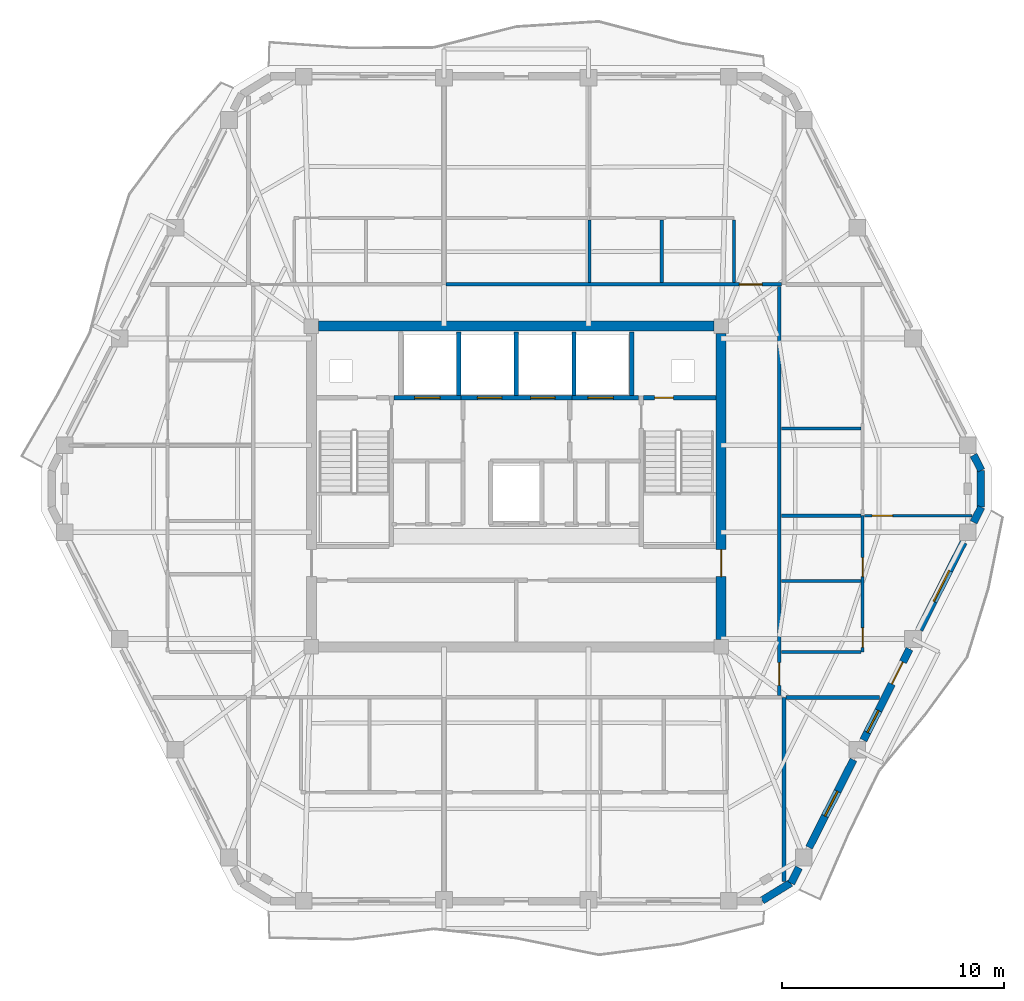
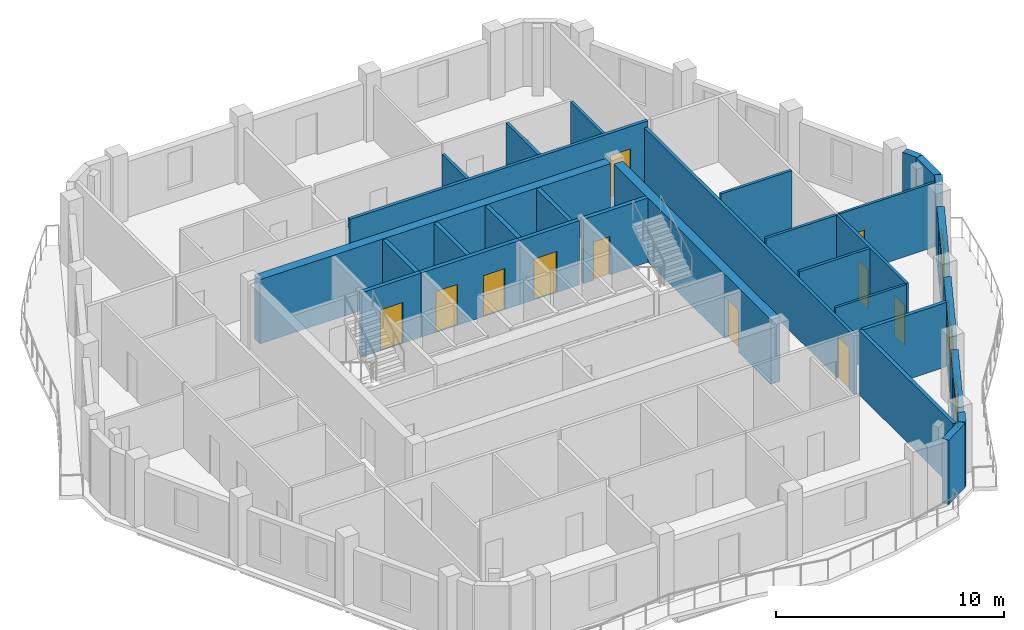
# One storey, part 6 of 11: 31 walls, 12 doors, 3 windows, 15 openings.
"""IFC4 building model written with IfcOpenShell, lengths in metres."""

import ifcopenshell
import ifcopenshell.guid

model = None  # the IFC model being written
_history = None  # IfcOwnerHistory: only IFC2X3 demands one
_inside = {}  # id of a spatial element -> (the spatial element, [elements in it])
_under = {}  # id of a project, library or spatial element -> (it, [spatial elements below it])
_declared = {}  # id of a project -> (the project, [libraries it declares])
_typed = {}  # id of a type object -> (the type object, [elements of that type])
_made_of = {}  # id of a material, layer set ... -> (it, [elements and type objects made of it])


def new_model(schema):
    """Start an empty IFC model of exactly this schema.

    Asked for "IFC4X3", IfcOpenShell would pick the latest addendum, in which some entities
    have other attributes; the version numbers below select the first issue.
    IFC2X3 requires an IfcOwnerHistory on every rooted entity: one is made here for all.
    """
    global model, _history
    if schema == "IFC4X3":
        model = ifcopenshell.file(schema_version=(4, 3, 0, 0))
    else:
        model = ifcopenshell.file(schema=schema)
    _inside.clear()
    _under.clear()
    _declared.clear()
    _typed.clear()
    _made_of.clear()
    _history = None
    if model.schema == "IFC2X3":
        org = make("IfcOrganization", Name="unknown")
        user = make(
            "IfcPersonAndOrganization",
            ThePerson=make("IfcPerson", FamilyName="unknown"),
            TheOrganization=org,
        )
        app = make(
            "IfcApplication",
            ApplicationDeveloper=org,
            Version="unknown",
            ApplicationFullName="unknown",
            ApplicationIdentifier="unknown",
        )
        _history = make(
            "IfcOwnerHistory",
            OwningUser=user,
            OwningApplication=app,
            ChangeAction="ADDED",
            CreationDate=0,
        )
    return model


def make(cls, **values):
    """One entity of the class cls with the attributes given. An attribute that is None is left unset."""
    return model.create_entity(
        cls, **{name: value for name, value in values.items() if value is not None}
    )


def rooted(cls, **values):
    """An entity with a GlobalId (a new one), such as an element, a storey or a relation."""
    return make(cls, GlobalId=ifcopenshell.guid.new(), OwnerHistory=_history, **values)


def si_unit(unit_type, name, prefix=None):
    """IfcSIUnit, for example si_unit("LENGTHUNIT", "METRE", prefix="MILLI")."""
    return make("IfcSIUnit", UnitType=unit_type, Prefix=prefix, Name=name)


def assignment(units):
    """IfcUnitAssignment: the units of a project."""
    return None if units is None else make("IfcUnitAssignment", Units=units)


def point(xyz):
    """IfcCartesianPoint."""
    return None if xyz is None else make("IfcCartesianPoint", Coordinates=xyz)


def direction(xyz):
    """IfcDirection."""
    return None if xyz is None else make("IfcDirection", DirectionRatios=xyz)


def frame(location, z_axis=None, x_axis=None):
    """IfcAxis2Placement3D, a coordinate frame: its origin and axes. An axis left out is left unset."""
    return make(
        "IfcAxis2Placement3D",
        Location=point(location),
        Axis=direction(z_axis),
        RefDirection=direction(x_axis),
    )


def frame_2d(location, x_axis=None):
    """IfcAxis2Placement2D, a coordinate frame in the plane: its origin and x axis."""
    return make(
        "IfcAxis2Placement2D", Location=point(location), RefDirection=direction(x_axis)
    )


def origin():
    """The frame at (0, 0, 0) with its axes left unset."""
    return frame((0.0, 0.0, 0.0))


def place(relative_to, where):
    """IfcLocalPlacement: puts the frame where relative to a parent placement (None: the world)."""
    return make(
        "IfcLocalPlacement", PlacementRelTo=relative_to, RelativePlacement=where
    )


def context(
    kind, dimensions, precision=None, world=None, true_north=None, identifier=None
):
    """IfcGeometricRepresentationContext, for example the 3D "Model" context."""
    return make(
        "IfcGeometricRepresentationContext",
        ContextIdentifier=identifier,
        ContextType=kind,
        CoordinateSpaceDimension=dimensions,
        Precision=precision,
        WorldCoordinateSystem=world,
        TrueNorth=true_north,
    )


def subcontext(parent, identifier, kind, view, scale=None):
    """IfcGeometricRepresentationSubContext, for example "Body" below "Model"."""
    return make(
        "IfcGeometricRepresentationSubContext",
        ContextIdentifier=identifier,
        ContextType=kind,
        ParentContext=parent,
        TargetScale=scale,
        TargetView=view,
    )


def project(units=None, contexts=None):
    """IfcProject with its units and contexts."""
    return rooted(
        "IfcProject",
        Name="project",
        RepresentationContexts=contexts,
        UnitsInContext=assignment(units),
    )


def spatial(cls, under=None, at=None, **own):
    """A site, building, storey or space (cls), placed at a placement, below another one or the project."""
    s = rooted(cls, ObjectPlacement=at, **own)
    if under is not None:
        _under.setdefault(under.id(), (under, []))[1].append(s)
    return s


def profile(cls, at=None, kind="AREA", **sizes):
    """A parametric profile (cls). Its sizes go by their IFC names, for example OverallWidth=200.0."""
    return make(cls, ProfileType=kind, Position=at, **sizes)


def rectangle(**sizes):
    """IfcRectangleProfileDef."""
    return profile("IfcRectangleProfileDef", **sizes)


def extrude(swept, where, along, depth):
    """IfcExtrudedAreaSolid: the profile swept, set in the frame where, extruded along a direction by depth."""
    return make(
        "IfcExtrudedAreaSolid",
        SweptArea=swept,
        Position=where,
        ExtrudedDirection=direction(along),
        Depth=depth,
    )


def shape(context_of_items, identifier, shape_type, items):
    """IfcShapeRepresentation: the items that make up one representation, for example the "Body"."""
    return make(
        "IfcShapeRepresentation",
        ContextOfItems=context_of_items,
        RepresentationIdentifier=identifier,
        RepresentationType=shape_type,
        Items=items,
    )


def material(Name=None, Category=None):
    """IfcMaterial."""
    return make("IfcMaterial", Name=Name, Category=Category)


def layer(
    of_material, thickness, ventilated=None, Name=None, Category=None, Priority=None
):
    """IfcMaterialLayer: one layer of a wall or slab, of a material (None: an air gap)."""
    return make(
        "IfcMaterialLayer",
        Material=of_material,
        LayerThickness=thickness,
        IsVentilated=ventilated,
        Name=Name,
        Category=Category,
        Priority=Priority,
    )


def layer_set(layers, Name=None):
    """IfcMaterialLayerSet."""
    return make("IfcMaterialLayerSet", MaterialLayers=layers, LayerSetName=Name)


def made_of(thing, what):
    """Note that an element or type object is made of a material, layer set ...; save() writes the relation."""
    if what is not None:
        _made_of.setdefault(what.id(), (what, []))[1].append(thing)
    return thing


def type_object(cls, material=None, **own):
    """A type object (cls), such as IfcWallType, which elements share."""
    return made_of(rooted(cls, **own), material)


def element(
    cls,
    number,
    at=None,
    inside=None,
    cuts=None,
    type_object=None,
    material=None,
    context=None,
    identifier="Body",
    shape_type=None,
    held_by="IfcProductDefinitionShape",
    body=None,
    shapes=None,
    **own,
):
    """One element of the class cls, such as IfcWall. Its Tag is "e" and its number.

    at: its placement. inside: the storey or other place that contains it. cuts: it is an
    opening in that element (IfcRelVoidsElement). A single representation is given by context,
    identifier, shape_type and body (its items); several are given by shapes. held_by: the class
    of the entity that holds the representations. save() writes the other relations.
    """
    e = rooted(cls, Tag="e%d" % number, ObjectPlacement=at, **own)
    if body is not None:
        shapes = [shape(context, identifier, shape_type, body)]
    if shapes is not None:
        e.Representation = make(held_by, Representations=shapes)
    if inside is not None:
        _inside.setdefault(inside.id(), (inside, []))[1].append(e)
    if cuts is not None:
        rooted(
            "IfcRelVoidsElement", RelatingBuildingElement=cuts, RelatedOpeningElement=e
        )
    if type_object is not None:
        _typed.setdefault(type_object.id(), (type_object, []))[1].append(e)
    return made_of(e, material)


def fill(opening, filler):
    """IfcRelFillsElement: the door or window that sits in an opening."""
    return rooted(
        "IfcRelFillsElement",
        RelatingOpeningElement=opening,
        RelatedBuildingElement=filler,
    )


def aggregate(whole, parts):
    """IfcRelAggregates: a whole, such as a stair, and the parts it consists of."""
    return rooted("IfcRelAggregates", RelatingObject=whole, RelatedObjects=parts)


def save(model, path):
    """Write the relations noted so far, then the file.

    IfcRelAggregates (storeys below a building ...), IfcRelContainedInSpatialStructure (elements
    in a storey), IfcRelDefinesByType, IfcRelAssociatesMaterial and IfcRelDeclares: one each for
    every whole, place, type object, material and project.
    """
    for whole, parts in _under.values():
        aggregate(whole, parts)
    for where, things in _inside.values():
        rooted(
            "IfcRelContainedInSpatialStructure",
            RelatedElements=things,
            RelatingStructure=where,
        )
    for kind, things in _typed.values():
        rooted("IfcRelDefinesByType", RelatedObjects=things, RelatingType=kind)
    for what, things in _made_of.values():
        rooted("IfcRelAssociatesMaterial", RelatedObjects=things, RelatingMaterial=what)
    for by, libraries in _declared.values():
        rooted("IfcRelDeclares", RelatingContext=by, RelatedDefinitions=libraries)
    model.write(path)


model = new_model("IFC4")

# Units and contexts
model_context = context("Model", 3, precision=1e-05, world=origin(), true_north=direction((0.0, 1.0)))
body_context = subcontext(model_context, "Body", "Model", "MODEL_VIEW")
ifc_project = project(units=[si_unit("LENGTHUNIT", "METRE"), si_unit("AREAUNIT", "SQUARE_METRE"), si_unit("VOLUMEUNIT", "CUBIC_METRE"), si_unit("PLANEANGLEUNIT", "RADIAN"), si_unit("MASSUNIT", "GRAM", prefix="KILO")], contexts=[model_context])

# Site, building, storey
site_placement = place(None, origin())
site = spatial("IfcSite", under=ifc_project, at=site_placement, CompositionType="ELEMENT")
building_placement = place(site_placement, origin())
building = spatial("IfcBuilding", under=site, at=building_placement, Name="Cinnabar Lancet Tower", CompositionType="ELEMENT")
storey_placement = place(building_placement, frame((0.0, 0.0, 234.300048828125)))
storey = spatial("IfcBuildingStorey", under=building, at=storey_placement, Name="L62", CompositionType="ELEMENT", Elevation=234.300048828125)

# Wall, opening, door
ifc_material_1 = material(Name="Acoustic twin-stud gypsum partition", Category="gypsum")
ifc_layer_1 = layer(ifc_material_1, 0.159912109375)
ifc_layer_set_1 = layer_set([ifc_layer_1], Name="Acoustic twin-stud gypsum partition")
wall_type_1 = type_object("IfcWallType", Name="ARC-WL-CORR-160", PredefinedType="PARTITIONING", material=ifc_layer_set_1)
wall_1_placement = place(storey_placement, frame((29.240966796875, 35.0, 0.0), z_axis=(0.0, 0.0, 1.0), x_axis=(1.0, 0.0, 0.0)))
wall_1 = element("IfcWall", 1, at=wall_1_placement, inside=storey, type_object=wall_type_1, Name="L62 Unit N02 Corridor Wall", PredefinedType="PARTITIONING", context=body_context, shape_type="SweptSolid", body=[
    extrude(rectangle(XDim=15.114013671875, YDim=0.159912109375, at=frame_2d((7.55712890625, 0.0))), origin(), (0.0, 0.0, 1.0), 3.449951171875),
])
opening_1_placement = place(wall_1_placement, frame((13.208984375, 0.0, 0.0)))
opening_1 = element("IfcOpeningElement", 2, at=opening_1_placement, cuts=wall_1, Name="Opening UD-01", PredefinedType="OPENING", context=body_context, shape_type="SweptSolid", body=[
    extrude(rectangle(XDim=1.02001953125, YDim=2.25, at=frame_2d((0.510009765625, 1.125))), frame((0.0, 0.08984375, 0.0), z_axis=(0.0, -1.0, 0.0), x_axis=(1.0, 0.0, 0.0)), (0.0, 0.0, 1.0), 0.179931640625),
])
ifc_material_2 = material(Name="Solid timber fire-rated apartment entrance door", Category="wood")
door_type_1 = type_object("IfcDoorType", Name="ARC-DR-UNIT", OperationType="NOTDEFINED", PredefinedType="DOOR", material=ifc_material_2)
door_1_placement = place(opening_1_placement, origin())
door_1 = element("IfcDoor", 3, at=door_1_placement, inside=storey, type_object=door_type_1, Name="DR-L62-N02-ENT", OperationType="SINGLE_SWING_LEFT", OverallHeight=2.25, OverallWidth=1.02001953125, PredefinedType="DOOR", context=body_context, shape_type="SweptSolid", body=[
    extrude(rectangle(XDim=1.02001953125, YDim=2.25, at=frame_2d((0.510009765625, 1.125))), frame((0.0, 0.02490234375, 0.0), z_axis=(0.0, -1.0, 0.0), x_axis=(1.0, 0.0, 0.0)), (0.0, 0.0, 1.0), 0.050048828125),
])
fill(opening_1, door_1)

wall_2_placement = place(storey_placement, frame((44.25, 16.4951171875, 0.0), z_axis=(0.0, 0.0, 1.0), x_axis=(0.0, 1.0, 0.0)))
wall_2 = element("IfcWall", 4, at=wall_2_placement, inside=storey, type_object=wall_type_1, Name="UW-L62-E01-COR", PredefinedType="PARTITIONING", context=body_context, shape_type="SweptSolid", body=[
    extrude(rectangle(XDim=18.409912109375, YDim=0.159912109375, at=frame_2d((9.205078125, 0.0))), origin(), (0.0, 0.0, 1.0), 3.136962890625),
])
opening_2_placement = place(wall_2_placement, frame((0.449951171875, 0.0, 0.0)))
opening_2 = element("IfcOpeningElement", 5, at=opening_2_placement, cuts=wall_2, Name="Opening UD-01", PredefinedType="OPENING", context=body_context, shape_type="SweptSolid", body=[
    extrude(rectangle(XDim=1.02001953125, YDim=2.25, at=frame_2d((0.510009765625, 1.125))), frame((0.0, 0.08984375, 0.0), z_axis=(0.0, -1.0, 0.0), x_axis=(1.0, 0.0, 0.0)), (0.0, 0.0, 1.0), 0.179931640625),
])
door_2_placement = place(opening_2_placement, origin())
door_2 = element("IfcDoor", 6, at=door_2_placement, inside=storey, type_object=door_type_1, Name="DR-L62-E01-ENT", OperationType="SINGLE_SWING_RIGHT", OverallHeight=2.25, OverallWidth=1.02001953125, PredefinedType="DOOR", context=body_context, shape_type="SweptSolid", body=[
    extrude(rectangle(XDim=1.02001953125, YDim=2.25, at=frame_2d((0.510009765625, 1.125))), frame((0.0, 0.02490234375, 0.0), z_axis=(0.0, -1.0, 0.0), x_axis=(1.0, 0.0, 0.0)), (0.0, 0.0, 1.0), 0.050048828125),
])
fill(opening_2, door_2)

# Walls
ifc_material_3 = material(Name="Fire-rated twin-frame acoustic drywall", Category="gypsum")
ifc_layer_2 = layer(ifc_material_3, 0.179931640625)
ifc_layer_set_2 = layer_set([ifc_layer_2], Name="Fire-rated twin-frame acoustic drywall")
wall_type_2 = type_object("IfcWallType", Name="ARC-WL-PARTY-180", PredefinedType="PARTITIONING", material=ifc_layer_set_2)
wall_3_placement = place(storey_placement, frame((44.449951171875, 8.118896484375, 0.0), z_axis=(0.0, 0.0, 1.0), x_axis=(0.0, 1.0, 0.0)))
element("IfcWall", 7, at=wall_3_placement, inside=storey, type_object=wall_type_2, Name="PW-L62-SPTY-444", PredefinedType="PARTITIONING", context=body_context, shape_type="SweptSolid", body=[
    extrude(rectangle(XDim=8.281005859375, YDim=0.179931640625, at=frame_2d((4.140625, 0.0))), origin(), (0.0, 0.0, 1.0), 3.449951171875),
])
wall_4_placement = place(storey_placement, frame((44.544921875, 16.39990234375, 0.0), z_axis=(0.0, 0.0, 1.0), x_axis=(1.0, 0.0, 0.0)))
element("IfcWall", 8, at=wall_4_placement, inside=storey, type_object=wall_type_2, Name="PW-L62-ESB", PredefinedType="PARTITIONING", context=body_context, shape_type="SweptSolid", body=[
    extrude(rectangle(XDim=4.22119140625, YDim=0.179931640625, at=frame_2d((2.110595703125, 0.0))), origin(), (0.0, 0.0, 1.0), 3.449951171875),
])

# Wall, opening, door
ifc_material_4 = material(Name="Autoclaved aerated concrete blockwork", Category="masonry")
ifc_layer_3 = layer(ifc_material_4, 0.199951171875)
ifc_layer_set_3 = layer_set([ifc_layer_3], Name="Autoclaved aerated concrete blockwork")
wall_type_3 = type_object("IfcWallType", Name="ARC-WL-SHAFT-200", PredefinedType="PLUMBINGWALL", material=ifc_layer_set_3)
wall_5_placement = place(storey_placement, frame((26.885009765625, 29.89990234375, 0.0), z_axis=(0.0, 0.0, 1.0), x_axis=(1.0, 0.0, 0.0)))
wall_5 = element("IfcWall", 9, at=wall_5_placement, inside=storey, type_object=wall_type_3, Name="CW-FL1-L62", PredefinedType="PLUMBINGWALL", context=body_context, shape_type="SweptSolid", body=[
    extrude(rectangle(XDim=3.014892578125, YDim=0.199951171875, at=frame_2d((1.50732421875, 0.0))), origin(), (0.0, 0.0, 1.0), 3.449951171875),
])
opening_3_placement = place(wall_5_placement, frame((0.93994140625, 0.0, 0.0)))
opening_3 = element("IfcOpeningElement", 10, at=opening_3_placement, cuts=wall_5, Name="Opening LD-02", PredefinedType="OPENING", context=body_context, shape_type="SweptSolid", body=[
    extrude(rectangle(XDim=1.14990234375, YDim=2.199951171875, at=frame_2d((0.574951171875, 1.10009765625))), frame((0.0, 0.10986328125, 0.0), z_axis=(0.0, -1.0, 0.0), x_axis=(1.0, 0.0, 0.0)), (0.0, 0.0, 1.0), 0.219970703125),
])
ifc_material_5 = material(Name="Fire-rated stainless steel firefighting lift landing door", Category="steel")
door_type_2 = type_object("IfcDoorType", Name="ARC-DR-LD-FIRE", OperationType="NOTDEFINED", PredefinedType="DOOR", material=ifc_material_5)
door_3_placement = place(opening_3_placement, origin())
door_3 = element("IfcDoor", 11, at=door_3_placement, inside=storey, type_object=door_type_2, Name="L62 Firefighting Lift FL-1 Landing Door", OperationType="DOUBLE_DOOR_SLIDING", OverallHeight=2.199951171875, OverallWidth=1.14990234375, PredefinedType="DOOR", context=body_context, shape_type="SweptSolid", body=[
    extrude(rectangle(XDim=1.14990234375, YDim=2.199951171875, at=frame_2d((0.574951171875, 1.10009765625))), frame((0.0, 0.02490234375, 0.0), z_axis=(0.0, -1.0, 0.0), x_axis=(1.0, 0.0, 0.0)), (0.0, 0.0, 1.0), 0.050048828125),
])
fill(opening_3, door_3)

# Wall, openings, doors
wall_6_placement = place(storey_placement, frame((29.89990234375, 29.89990234375, 0.0), z_axis=(0.0, 0.0, 1.0), x_axis=(1.0, 0.0, 0.0)))
wall_6 = element("IfcWall", 12, at=wall_6_placement, inside=storey, type_object=wall_type_3, Name="CW-PL78-L62", PredefinedType="PLUMBINGWALL", context=body_context, shape_type="SweptSolid", body=[
    extrude(rectangle(XDim=5.0, YDim=0.199951171875, at=frame_2d((2.5, 0.0))), origin(), (0.0, 0.0, 1.0), 3.449951171875),
])
opening_4_placement = place(wall_6_placement, frame((0.75, 0.0, 0.0)))
opening_4 = element("IfcOpeningElement", 13, at=opening_4_placement, cuts=wall_6, Name="Opening LD-01", PredefinedType="OPENING", context=body_context, shape_type="SweptSolid", body=[
    extrude(rectangle(XDim=1.10009765625, YDim=2.199951171875, at=frame_2d((0.550048828125, 1.10009765625))), frame((0.0, 0.10986328125, 0.0), z_axis=(0.0, -1.0, 0.0), x_axis=(1.0, 0.0, 0.0)), (0.0, 0.0, 1.0), 0.219970703125),
])
opening_5_placement = place(wall_6_placement, frame((3.14990234375, 0.0, 0.0)))
opening_5 = element("IfcOpeningElement", 14, at=opening_5_placement, cuts=wall_6, Name="Opening LD-01", PredefinedType="OPENING", context=body_context, shape_type="SweptSolid", body=[
    extrude(rectangle(XDim=1.10009765625, YDim=2.199951171875, at=frame_2d((0.550048828125, 1.10009765625))), frame((0.0, 0.10986328125, 0.0), z_axis=(0.0, -1.0, 0.0), x_axis=(1.0, 0.0, 0.0)), (0.0, 0.0, 1.0), 0.219970703125),
])
ifc_material_6 = material(Name="Brushed stainless steel sliding lift door", Category="steel")
door_type_3 = type_object("IfcDoorType", Name="ARC-DR-LD-PASS", OperationType="NOTDEFINED", PredefinedType="DOOR", material=ifc_material_6)
door_4_placement = place(opening_4_placement, origin())
door_4 = element("IfcDoor", 15, at=door_4_placement, inside=storey, type_object=door_type_3, Name="L62 Lift PL-7 Landing Door", OperationType="DOUBLE_DOOR_SLIDING", OverallHeight=2.199951171875, OverallWidth=1.10009765625, PredefinedType="DOOR", context=body_context, shape_type="SweptSolid", body=[
    extrude(rectangle(XDim=1.10009765625, YDim=2.199951171875, at=frame_2d((0.550048828125, 1.10009765625))), frame((0.0, 0.02490234375, 0.0), z_axis=(0.0, -1.0, 0.0), x_axis=(1.0, 0.0, 0.0)), (0.0, 0.0, 1.0), 0.050048828125),
])
fill(opening_4, door_4)
door_5_placement = place(opening_5_placement, origin())
door_5 = element("IfcDoor", 16, at=door_5_placement, inside=storey, type_object=door_type_3, Name="L62 Lift PL-8 Landing Door", OperationType="DOUBLE_DOOR_SLIDING", OverallHeight=2.199951171875, OverallWidth=1.10009765625, PredefinedType="DOOR", context=body_context, shape_type="SweptSolid", body=[
    extrude(rectangle(XDim=1.10009765625, YDim=2.199951171875, at=frame_2d((0.550048828125, 1.10009765625))), frame((0.0, 0.02490234375, 0.0), z_axis=(0.0, -1.0, 0.0), x_axis=(1.0, 0.0, 0.0)), (0.0, 0.0, 1.0), 0.050048828125),
])
fill(opening_5, door_5)

# Wall, opening, door
wall_7_placement = place(storey_placement, frame((34.89990234375, 29.89990234375, 0.0), z_axis=(0.0, 0.0, 1.0), x_axis=(1.0, 0.0, 0.0)))
wall_7 = element("IfcWall", 17, at=wall_7_placement, inside=storey, type_object=wall_type_3, Name="CW-FL2-L62", PredefinedType="PLUMBINGWALL", context=body_context, shape_type="SweptSolid", body=[
    extrude(rectangle(XDim=3.01513671875, YDim=0.199951171875, at=frame_2d((1.507568359375, 0.0))), origin(), (0.0, 0.0, 1.0), 3.449951171875),
])
opening_6_placement = place(wall_7_placement, frame((0.72509765625, 0.0, 0.0)))
opening_6 = element("IfcOpeningElement", 18, at=opening_6_placement, cuts=wall_7, Name="Opening LD-02", PredefinedType="OPENING", context=body_context, shape_type="SweptSolid", body=[
    extrude(rectangle(XDim=1.14990234375, YDim=2.199951171875, at=frame_2d((0.574951171875, 1.10009765625))), frame((0.0, 0.10986328125, 0.0), z_axis=(0.0, -1.0, 0.0), x_axis=(1.0, 0.0, 0.0)), (0.0, 0.0, 1.0), 0.219970703125),
])
door_6_placement = place(opening_6_placement, origin())
door_6 = element("IfcDoor", 19, at=door_6_placement, inside=storey, type_object=door_type_2, Name="L62 Firefighting Lift FL-2 Landing Door", OperationType="DOUBLE_DOOR_SLIDING", OverallHeight=2.199951171875, OverallWidth=1.14990234375, PredefinedType="DOOR", context=body_context, shape_type="SweptSolid", body=[
    extrude(rectangle(XDim=1.14990234375, YDim=2.199951171875, at=frame_2d((0.574951171875, 1.10009765625))), frame((0.0, 0.02490234375, 0.0), z_axis=(0.0, -1.0, 0.0), x_axis=(1.0, 0.0, 0.0)), (0.0, 0.0, 1.0), 0.050048828125),
])
fill(opening_6, door_6)

wall_8_placement = place(storey_placement, frame((38.125, 29.89990234375, 0.0), z_axis=(0.0, 0.0, 1.0), x_axis=(1.0, 0.0, 0.0)))
wall_8 = element("IfcWall", 20, at=wall_8_placement, inside=storey, type_object=wall_type_3, Name="CW-NSH-E-L62", PredefinedType="PLUMBINGWALL", context=body_context, shape_type="SweptSolid", body=[
    extrude(rectangle(XDim=3.27001953125, YDim=0.199951171875, at=frame_2d((1.635009765625, 0.0))), origin(), (0.0, 0.0, 1.0), 3.449951171875),
])
opening_7_placement = place(wall_8_placement, frame((0.5, 0.0, 0.0)))
opening_7 = element("IfcOpeningElement", 21, at=opening_7_placement, cuts=wall_8, Name="Opening PD-02", PredefinedType="OPENING", context=body_context, shape_type="SweptSolid", body=[
    extrude(rectangle(XDim=0.85009765625, YDim=2.050048828125, at=frame_2d((0.425048828125, 1.02490234375))), frame((0.0, 0.10986328125, 0.0), z_axis=(0.0, -1.0, 0.0), x_axis=(1.0, 0.0, 0.0)), (0.0, 0.0, 1.0), 0.219970703125),
])
ifc_material_7 = material(Name="Fire-rated steel riser access door", Category="steel")
door_type_4 = type_object("IfcDoorType", Name="ARC-DR-RISER", OperationType="NOTDEFINED", PredefinedType="DOOR", material=ifc_material_7)
door_7_placement = place(opening_7_placement, origin())
door_7 = element("IfcDoor", 22, at=door_7_placement, inside=storey, type_object=door_type_4, Name="L62 East Riser Access Door", OperationType="SINGLE_SWING_RIGHT", OverallHeight=2.050048828125, OverallWidth=0.85009765625, PredefinedType="DOOR", context=body_context, shape_type="SweptSolid", body=[
    extrude(rectangle(XDim=0.85009765625, YDim=2.050048828125, at=frame_2d((0.425048828125, 1.02490234375))), frame((0.0, 0.02490234375, 0.0), z_axis=(0.0, -1.0, 0.0), x_axis=(1.0, 0.0, 0.0)), (0.0, 0.0, 1.0), 0.050048828125),
])
fill(opening_7, door_7)

# Walls
for number, where, z_axis, x_axis, name in (
    (23, (29.800048828125, 30.0, 0.0), (0.0, 0.0, 1.0), (0.0, 1.0, 0.0), "CW-NSH-D2-L62"),
    (24, (32.39990234375, 30.0, 0.0), (0.0, 0.0, 1.0), (0.0, 1.0, 0.0), "CW-NSH-D3-L62"),
    (25, (35.0, 30.0, 0.0), (0.0, 0.0, 1.0), (0.0, 1.0, 0.0), "CW-NSH-D4-L62"),
    (26, (37.60009765625, 30.0, 0.0), (0.0, 0.0, 1.0), (0.0, 1.0, 0.0), "CW-NSH-D5-L62"),
):
    element("IfcWall", number, at=place(storey_placement, frame(where, z_axis=z_axis, x_axis=x_axis)), inside=storey, type_object=wall_type_3, Name=name, PredefinedType="PLUMBINGWALL", context=body_context, shape_type="SweptSolid", body=[
        extrude(rectangle(XDim=2.85009765625, YDim=0.199951171875, at=frame_2d((1.425048828125, 0.0))), origin(), (0.0, 0.0, 1.0), 3.449951171875),
    ])
ifc_material_8 = material(Name="Gypsum plasterboard stud partition", Category="gypsum")
ifc_layer_4 = layer(ifc_material_8, 0.125)
ifc_layer_set_4 = layer_set([ifc_layer_4], Name="Gypsum plasterboard stud partition")
wall_type_4 = type_object("IfcWallType", Name="ARC-WL-UNIT-125", PredefinedType="PARTITIONING", material=ifc_layer_set_4)
wall_9_placement = place(storey_placement, frame((42.199951171875, 35.0849609375, 0.0), z_axis=(0.0, 0.0, 1.0), x_axis=(0.0, 1.0, 0.0)))
element("IfcWall", 27, at=wall_9_placement, inside=storey, type_object=wall_type_4, Name="UW-L62-N02-FOYW", PredefinedType="PARTITIONING", context=body_context, shape_type="SweptSolid", body=[
    extrude(rectangle(XDim=2.81103515625, YDim=0.125, at=frame_2d((1.405517578125, 0.0))), origin(), (0.0, 0.0, 1.0), 3.449951171875),
])
wall_10_placement = place(storey_placement, frame((44.3349609375, 18.449951171875, 0.0), z_axis=(0.0, 0.0, 1.0), x_axis=(1.0, 0.0, 0.0)))
element("IfcWall", 28, at=wall_10_placement, inside=storey, type_object=wall_type_4, Name="UW-L62-E01-FOYN", PredefinedType="PARTITIONING", context=body_context, shape_type="SweptSolid", body=[
    extrude(rectangle(XDim=3.580078125, YDim=0.125, at=frame_2d((1.7900390625, 0.0))), origin(), (0.0, 0.0, 1.0), 3.449951171875),
])

# Wall, opening, door
wall_11_placement = place(storey_placement, frame((48.074951171875, 24.583984375, 0.0), z_axis=(0.0, 0.0, 1.0), x_axis=(1.0, 0.0, 0.0)))
wall_11 = element("IfcWall", 29, at=wall_11_placement, inside=storey, type_object=wall_type_4, Name="UW-L62-E01-MBN", PredefinedType="PARTITIONING", context=body_context, shape_type="SweptSolid", body=[
    extrude(rectangle(XDim=4.844970703125, YDim=0.125, at=frame_2d((2.42236328125, 0.0))), origin(), (0.0, 0.0, 1.0), 3.449951171875),
])
opening_8_placement = place(wall_11_placement, frame((0.35009765625, 0.0, 0.0)))
opening_8 = element("IfcOpeningElement", 30, at=opening_8_placement, cuts=wall_11, Name="Opening RD-01", PredefinedType="OPENING", context=body_context, shape_type="SweptSolid", body=[
    extrude(rectangle(XDim=0.919921875, YDim=2.14990234375, at=frame_2d((0.4599609375, 1.074951171875))), frame((0.0, 0.072509765625, 0.0), z_axis=(0.0, -1.0, 0.0), x_axis=(1.0, 0.0, 0.0)), (0.0, 0.0, 1.0), 0.14501953125),
])
ifc_material_9 = material(Name="Engineered timber bedroom door", Category="wood")
door_type_5 = type_object("IfcDoorType", Name="ARC-DR-ROOM", OperationType="NOTDEFINED", PredefinedType="DOOR", material=ifc_material_9)
door_8_placement = place(opening_8_placement, origin())
door_8 = element("IfcDoor", 31, at=door_8_placement, inside=storey, type_object=door_type_5, Name="DR-L62-E01-MBD", OperationType="SINGLE_SWING_RIGHT", OverallHeight=2.14990234375, OverallWidth=0.919921875, PredefinedType="DOOR", context=body_context, shape_type="SweptSolid", body=[
    extrude(rectangle(XDim=0.919921875, YDim=2.14990234375, at=frame_2d((0.4599609375, 1.074951171875))), frame((0.0, 0.02490234375, 0.0), z_axis=(0.0, -1.0, 0.0), x_axis=(1.0, 0.0, 0.0)), (0.0, 0.0, 1.0), 0.050048828125),
])
fill(opening_8, door_8)

# Walls
ifc_material_10 = material(Name="Moisture-resistant cement-board plumbing wall", Category="masonry")
ifc_layer_5 = layer(ifc_material_10, 0.139892578125)
ifc_layer_set_5 = layer_set([ifc_layer_5], Name="Moisture-resistant cement-board plumbing wall")
wall_type_5 = type_object("IfcWallType", Name="ARC-WL-WET-140", PredefinedType="PLUMBINGWALL", material=ifc_layer_set_5)
wall_12_placement = place(storey_placement, frame((38.948974609375, 35.0849609375, 0.0), z_axis=(0.0, 0.0, 1.0), x_axis=(0.0, 1.0, 0.0)))
element("IfcWall", 32, at=wall_12_placement, inside=storey, type_object=wall_type_5, Name="UW-L62-N02-KBD", PredefinedType="PLUMBINGWALL", context=body_context, shape_type="SweptSolid", body=[
    extrude(rectangle(XDim=2.81103515625, YDim=0.139892578125, at=frame_2d((1.405517578125, 0.0))), origin(), (0.0, 0.0, 1.0), 3.449951171875),
])
wall_13_placement = place(storey_placement, frame((35.697021484375, 35.0849609375, 0.0), z_axis=(0.0, 0.0, 1.0), x_axis=(0.0, 1.0, 0.0)))
element("IfcWall", 33, at=wall_13_placement, inside=storey, type_object=wall_type_5, Name="UW-L62-N02-ENSW", PredefinedType="PLUMBINGWALL", context=body_context, shape_type="SweptSolid", body=[
    extrude(rectangle(XDim=2.81103515625, YDim=0.139892578125, at=frame_2d((1.405517578125, 0.0))), origin(), (0.0, 0.0, 1.0), 2.906982421875),
])

# Wall, openings, doors
wall_14_placement = place(storey_placement, frame((48.0, 18.449951171875, 0.0), z_axis=(0.0, 0.0, 1.0), x_axis=(0.0, 1.0, 0.0)))
wall_14 = element("IfcWall", 34, at=wall_14_placement, inside=storey, type_object=wall_type_5, Name="UW-L62-E01-SPL", PredefinedType="PLUMBINGWALL", context=body_context, shape_type="SweptSolid", body=[
    extrude(rectangle(XDim=6.134033203125, YDim=0.139892578125, at=frame_2d((3.06689453125, 0.0))), origin(), (0.0, 0.0, 1.0), 3.449951171875),
])
opening_9_placement = place(wall_14_placement, frame((0.199951171875, 0.0, 0.0)))
opening_9 = element("IfcOpeningElement", 35, at=opening_9_placement, cuts=wall_14, Name="Opening RD-02", PredefinedType="OPENING", context=body_context, shape_type="SweptSolid", body=[
    extrude(rectangle(XDim=0.8798828125, YDim=2.14990234375, at=frame_2d((0.43994140625, 1.074951171875))), frame((0.0, 0.079833984375, 0.0), z_axis=(0.0, -1.0, 0.0), x_axis=(1.0, 0.0, 0.0)), (0.0, 0.0, 1.0), 0.159912109375),
])
opening_10_placement = place(wall_14_placement, frame((3.389892578125, 0.0, 0.0)))
opening_10 = element("IfcOpeningElement", 36, at=opening_10_placement, cuts=wall_14, Name="Opening BD-01", PredefinedType="OPENING", context=body_context, shape_type="SweptSolid", body=[
    extrude(rectangle(XDim=0.860107421875, YDim=2.10009765625, at=frame_2d((0.43017578125, 1.050048828125))), frame((0.0, 0.079833984375, 0.0), z_axis=(0.0, -1.0, 0.0), x_axis=(1.0, 0.0, 0.0)), (0.0, 0.0, 1.0), 0.159912109375),
])
ifc_material_11 = material(Name="Moisture-resistant timber bathroom door", Category="wood")
door_type_6 = type_object("IfcDoorType", Name="ARC-DR-BATH", OperationType="NOTDEFINED", PredefinedType="DOOR", material=ifc_material_11)
door_9_placement = place(opening_10_placement, origin())
door_9 = element("IfcDoor", 37, at=door_9_placement, inside=storey, type_object=door_type_6, Name="DR-L62-E01-BTH", OperationType="SINGLE_SWING_RIGHT", OverallHeight=2.10009765625, OverallWidth=0.860107421875, PredefinedType="DOOR", context=body_context, shape_type="SweptSolid", body=[
    extrude(rectangle(XDim=0.860107421875, YDim=2.10009765625, at=frame_2d((0.43017578125, 1.050048828125))), frame((0.0, 0.02490234375, 0.0), z_axis=(0.0, -1.0, 0.0), x_axis=(1.0, 0.0, 0.0)), (0.0, 0.0, 1.0), 0.050048828125),
])
fill(opening_10, door_9)
ifc_material_12 = material(Name="Engineered timber study door", Category="wood")
door_type_7 = type_object("IfcDoorType", Name="ARC-DR-STUDY", OperationType="NOTDEFINED", PredefinedType="DOOR", material=ifc_material_12)
door_10_placement = place(opening_9_placement, origin())
door_10 = element("IfcDoor", 38, at=door_10_placement, inside=storey, type_object=door_type_7, Name="DR-L62-E01-KIT", OperationType="SINGLE_SWING_LEFT", OverallHeight=2.14990234375, OverallWidth=0.8798828125, PredefinedType="DOOR", context=body_context, shape_type="SweptSolid", body=[
    extrude(rectangle(XDim=0.8798828125, YDim=2.14990234375, at=frame_2d((0.43994140625, 1.074951171875))), frame((0.0, 0.02490234375, 0.0), z_axis=(0.0, -1.0, 0.0), x_axis=(1.0, 0.0, 0.0)), (0.0, 0.0, 1.0), 0.050048828125),
])
fill(opening_9, door_10)

# Walls
for number, where, z_axis, x_axis, name in (
    (39, (44.3349609375, 24.583984375, 0.0), (0.0, 0.0, 1.0), (1.0, 0.0, 0.0), "UW-L62-E01-ENSN"),
    (40, (44.3349609375, 21.639892578125, 0.0), (0.0, 0.0, 1.0), (1.0, 0.0, 0.0), "UW-L62-E01-KDV"),
    (41, (44.3349609375, 28.52001953125, 0.0), (0.0, 0.0, 1.0), (1.0, 0.0, 0.0), "UW-L62-E01-EWDV"),
):
    element("IfcWall", number, at=place(storey_placement, frame(where, z_axis=z_axis, x_axis=x_axis)), inside=storey, type_object=wall_type_5, Name=name, PredefinedType="PLUMBINGWALL", context=body_context, shape_type="SweptSolid", body=[
        extrude(rectangle(XDim=3.580078125, YDim=0.139892578125, at=frame_2d((1.7900390625, 0.0))), origin(), (0.0, 0.0, 1.0), 3.449951171875),
    ])
ifc_material_13 = material(Name="Cinnabar red clay brick", Category="masonry")
ifc_layer_6 = layer(ifc_material_13, 0.340087890625)
ifc_layer_set_6 = layer_set([ifc_layer_6], Name="Cinnabar red clay brick")
wall_type_6 = type_object("IfcWallType", Name="ENV-WL-BRK-RED-340", PredefinedType="STANDARD", material=ifc_layer_set_6)
wall_15_placement = place(storey_placement, frame((43.468994140625, 7.2548828125, 0.0), z_axis=(0.0, 0.0, 1.0), x_axis=(0.851680557619, 0.52406128246, 0.0)))
element("IfcWall", 42, at=wall_15_placement, inside=storey, type_object=wall_type_6, Name="L62 Chamfered Corner Brick Pier 2.1", PredefinedType="STANDARD", context=body_context, shape_type="SweptSolid", body=[
    extrude(rectangle(XDim=1.507568359375, YDim=0.340087890625, at=frame_2d((0.75390625, 0.0))), origin(), (0.0, 0.0, 1.0), 3.449951171875),
])
wall_16_placement = place(storey_placement, frame((53.322998046875, 24.97998046875, 0.0), z_axis=(0.0, 0.0, 1.0), x_axis=(0.0, 1.0, 0.0)))
element("IfcWall", 43, at=wall_16_placement, inside=storey, type_object=wall_type_6, Name="L62 Chamfered Corner Brick Pier 3.1", PredefinedType="STANDARD", context=body_context, shape_type="SweptSolid", body=[
    extrude(rectangle(XDim=1.64013671875, YDim=0.340087890625, at=frame_2d((0.820068359375, 0.0))), origin(), (0.0, 0.0, 1.0), 3.449951171875),
])
wall_17_placement = place(storey_placement, frame((44.77294921875, 8.029052734375, 0.0), z_axis=(0.0, 0.0, 1.0), x_axis=(0.451159191899, 0.892443490404, 0.0)))
element("IfcWall", 44, at=wall_17_placement, inside=storey, type_object=wall_type_6, Name="L62 Face 2 Masonry Bay Wall 1", PredefinedType="STANDARD", context=body_context, shape_type="SweptSolid", body=[
    extrude(rectangle(XDim=0.791259765625, YDim=0.340087890625, at=frame_2d((0.3955078125, 0.0))), origin(), (0.0, 0.0, 1.0), 3.449951171875),
])

# Wall, opening, window
wall_18_placement = place(storey_placement, frame((45.5859375, 9.636962890625, 0.0), z_axis=(0.0, 0.0, 1.0), x_axis=(0.451440846853, 0.892301048858, 0.0)))
wall_18 = element("IfcWall", 45, at=wall_18_placement, inside=storey, type_object=wall_type_6, Name="L62 Face 2 Masonry Bay Wall 2", PredefinedType="STANDARD", context=body_context, shape_type="SweptSolid", body=[
    extrude(rectangle(XDim=4.43017578125, YDim=0.340087890625, at=frame_2d((2.215087890625, 0.0))), origin(), (0.0, 0.0, 1.0), 2.98291015625),
])
opening_11_placement = place(wall_18_placement, frame((1.590087890625, 0.0, 0.75)))
opening_11 = element("IfcOpeningElement", 46, at=opening_11_placement, cuts=wall_18, Name="Opening WN-03", PredefinedType="OPENING", context=body_context, shape_type="SweptSolid", body=[
    extrude(rectangle(XDim=1.25, YDim=1.949951171875, at=frame_2d((0.625, 0.97509765625))), frame((0.0, 0.179931640625, 0.0), z_axis=(0.0, -1.0, 0.0), x_axis=(1.0, 0.0, 0.0)), (0.0, 0.0, 1.0), 0.360107421875),
])
ifc_material_14 = material(Name="Thermally broken bronze-anodized aluminium low-E double glazing", Category="aluminium")
window_type_1 = type_object("IfcWindowType", Name="ENV-WN-LANCET-1250", PartitioningType="SINGLE_PANEL", PredefinedType="WINDOW", material=ifc_material_14)
window_1_placement = place(opening_11_placement, origin())
window_1 = element("IfcWindow", 47, at=window_1_placement, inside=storey, type_object=window_type_1, Name="L62 Face 2 Gothic Lancet Window 2", OverallHeight=1.949951171875, OverallWidth=1.25, PartitioningType="SINGLE_PANEL", PredefinedType="WINDOW", context=body_context, shape_type="SweptSolid", body=[
    extrude(rectangle(XDim=1.25, YDim=1.949951171875, at=frame_2d((0.625, 0.97509765625))), frame((0.0, 0.030029296875, 0.0), z_axis=(0.0, -1.0, 0.0), x_axis=(1.0, 0.0, 0.0)), (0.0, 0.0, 1.0), 0.06005859375),
])
fill(opening_11, window_1)

# Wall, openings, door, window
wall_19_placement = place(storey_placement, frame((48.031982421875, 14.472900390625, 0.0), z_axis=(0.0, 0.0, 1.0), x_axis=(0.451539564999, 0.892251097641, 0.0)))
wall_19 = element("IfcWall", 48, at=wall_19_placement, inside=storey, type_object=wall_type_6, Name="L62 Face 2 Masonry Bay Wall 3", PredefinedType="STANDARD", context=body_context, shape_type="SweptSolid", body=[
    extrude(rectangle(XDim=4.599609375, YDim=0.340087890625, at=frame_2d((2.2998046875, 0.0))), origin(), (0.0, 0.0, 1.0), 2.98291015625),
])
opening_12_placement = place(wall_19_placement, frame((2.845947265625, 0.0, 0.0)))
opening_12 = element("IfcOpeningElement", 49, at=opening_12_placement, cuts=wall_19, Name="Opening TD-01", PredefinedType="OPENING", context=body_context, shape_type="SweptSolid", body=[
    extrude(rectangle(XDim=1.10009765625, YDim=2.25, at=frame_2d((0.550048828125, 1.125))), frame((0.0, 0.179931640625, 0.0), z_axis=(0.0, -1.0, 0.0), x_axis=(1.0, 0.0, 0.0)), (0.0, 0.0, 1.0), 0.360107421875),
])
opening_13_placement = place(wall_19_placement, frame((0.39990234375, 0.0, 0.75)))
opening_13 = element("IfcOpeningElement", 50, at=opening_13_placement, cuts=wall_19, Name="Opening WN-04", PredefinedType="OPENING", context=body_context, shape_type="SweptSolid", body=[
    extrude(rectangle(XDim=1.10009765625, YDim=2.0, at=frame_2d((0.550048828125, 1.0))), frame((0.0, 0.179931640625, 0.0), z_axis=(0.0, -1.0, 0.0), x_axis=(1.0, 0.0, 0.0)), (0.0, 0.0, 1.0), 0.360107421875),
])
ifc_material_15 = material(Name="Thermally broken low-E glazed balcony terrace door", Category="wood")
door_type_8 = type_object("IfcDoorType", Name="ARC-DR-BALC", OperationType="NOTDEFINED", PredefinedType="DOOR", material=ifc_material_15)
door_11_placement = place(opening_12_placement, origin())
door_11 = element("IfcDoor", 51, at=door_11_placement, inside=storey, type_object=door_type_8, Name="L62 Face 2 Glazed Terrace Door", OperationType="SINGLE_SWING_RIGHT", OverallHeight=2.25, OverallWidth=1.10009765625, PredefinedType="DOOR", context=body_context, shape_type="SweptSolid", body=[
    extrude(rectangle(XDim=1.10009765625, YDim=2.25, at=frame_2d((0.550048828125, 1.125))), frame((0.0, 0.02490234375, 0.0), z_axis=(0.0, -1.0, 0.0), x_axis=(1.0, 0.0, 0.0)), (0.0, 0.0, 1.0), 0.050048828125),
])
fill(opening_12, door_11)
ifc_material_16 = material(Name="Thermally broken bronze-anodized aluminium tall lancet window", Category="aluminium")
window_type_2 = type_object("IfcWindowType", Name="ENV-WN-LANCET-1100", PartitioningType="SINGLE_PANEL", PredefinedType="WINDOW", material=ifc_material_16)
window_2_placement = place(opening_13_placement, origin())
window_2 = element("IfcWindow", 52, at=window_2_placement, inside=storey, type_object=window_type_2, Name="L62 Split-Bay Gothic Lancet Window 215", OverallHeight=2.0, OverallWidth=1.10009765625, PartitioningType="SINGLE_PANEL", PredefinedType="WINDOW", context=body_context, shape_type="SweptSolid", body=[
    extrude(rectangle(XDim=1.10009765625, YDim=2.0, at=frame_2d((0.550048828125, 1.0))), frame((0.0, 0.030029296875, 0.0), z_axis=(0.0, -1.0, 0.0), x_axis=(1.0, 0.0, 0.0)), (0.0, 0.0, 1.0), 0.06005859375),
])
fill(opening_13, window_2)

# Wall, opening, window
wall_20_placement = place(storey_placement, frame((50.553955078125, 19.4560546875, 0.0), z_axis=(0.0, 0.0, 1.0), x_axis=(0.45130817501, 0.892368158984, 0.0)))
wall_20 = element("IfcWall", 53, at=wall_20_placement, inside=storey, type_object=wall_type_6, Name="L62 Face 2 Masonry Bay Wall 4", PredefinedType="STANDARD", context=body_context, shape_type="SweptSolid", body=[
    extrude(rectangle(XDim=4.4072265625, YDim=0.340087890625, at=frame_2d((2.20361328125, 0.0))), origin(), (0.0, 0.0, 1.0), 2.98291015625),
])
opening_14_placement = place(wall_20_placement, frame((1.428955078125, 0.0, 0.75)))
opening_14 = element("IfcOpeningElement", 54, at=opening_14_placement, cuts=wall_20, Name="Opening WN-01", PredefinedType="OPENING", context=body_context, shape_type="SweptSolid", body=[
    extrude(rectangle(XDim=1.550048828125, YDim=2.050048828125, at=frame_2d((0.77490234375, 1.02490234375))), frame((0.0, 0.179931640625, 0.0), z_axis=(0.0, -1.0, 0.0), x_axis=(1.0, 0.0, 0.0)), (0.0, 0.0, 1.0), 0.360107421875),
])
ifc_material_17 = material(Name="Thermally broken bronze-anodized aluminium low-E double glazing", Category="aluminium")
window_type_3 = type_object("IfcWindowType", Name="ENV-WN-LANCET-1550", PartitioningType="SINGLE_PANEL", PredefinedType="WINDOW", material=ifc_material_17)
window_3_placement = place(opening_14_placement, origin())
window_3 = element("IfcWindow", 55, at=window_3_placement, inside=storey, type_object=window_type_3, Name="L62 Face 2 Gothic Lancet Window 4", OverallHeight=2.050048828125, OverallWidth=1.550048828125, PartitioningType="SINGLE_PANEL", PredefinedType="WINDOW", context=body_context, shape_type="SweptSolid", body=[
    extrude(rectangle(XDim=1.550048828125, YDim=2.050048828125, at=frame_2d((0.77490234375, 1.02490234375))), frame((0.0, 0.030029296875, 0.0), z_axis=(0.0, -1.0, 0.0), x_axis=(1.0, 0.0, 0.0)), (0.0, 0.0, 1.0), 0.06005859375),
])
fill(opening_14, window_3)

# Walls
for number, where, z_axis, x_axis, name in (
    (56, (52.99609375, 24.283935546875, 0.0), (0.0, 0.0, 1.0), (0.45075284655, 0.892648795063, 0.0), "L62 Face 2 Masonry Bay Wall 5"),
    (57, (53.343994140625, 26.626953125, 0.0), (0.0, 0.0, 1.0), (-0.45075284655, 0.892648795063, 0.0), "L62 Face 3 Masonry Bay Wall 1"),
):
    element("IfcWall", number, at=place(storey_placement, frame(where, z_axis=z_axis, x_axis=x_axis)), inside=storey, type_object=wall_type_6, Name=name, PredefinedType="STANDARD", context=body_context, shape_type="SweptSolid", body=[
        extrude(rectangle(XDim=0.771728515625, YDim=0.340087890625, at=frame_2d((0.3857421875, 0.0))), origin(), (0.0, 0.0, 1.0), 3.449951171875),
    ])
ifc_material_18 = material(Name="Concrete C50/60", Category="concrete")
ifc_layer_7 = layer(ifc_material_18, 0.449951171875)
ifc_layer_set_7 = layer_set([ifc_layer_7], Name="Concrete C50/60")
wall_type_7 = type_object("IfcWallType", Name="STR-WL-CORE-450", PredefinedType="SHEAR", material=ifc_layer_set_7)
wall_21_placement = place(storey_placement, frame((23.5, 33.125, 0.0), z_axis=(0.0, 0.0, 1.0), x_axis=(1.0, 0.0, 0.0)))
element("IfcWall", 58, at=wall_21_placement, inside=storey, type_object=wall_type_7, Name="L62 Core Shear Wall N", PredefinedType="SHEAR", context=body_context, shape_type="SweptSolid", body=[
    extrude(rectangle(XDim=17.800048828125, YDim=0.449951171875, at=frame_2d((8.89990234375, 0.0))), origin(), (0.0, 0.0, 1.0), 3.449951171875),
])

# Wall, opening, door
wall_22_placement = place(storey_placement, frame((41.625, 19.0, 0.0), z_axis=(0.0, 0.0, 1.0), x_axis=(0.0, 1.0, 0.0)))
wall_22 = element("IfcWall", 59, at=wall_22_placement, inside=storey, type_object=wall_type_7, Name="L62 Core Shear Wall E", PredefinedType="SHEAR", context=body_context, shape_type="SweptSolid", body=[
    extrude(rectangle(XDim=13.800048828125, YDim=0.449951171875, at=frame_2d((6.89990234375, 0.0))), origin(), (0.0, 0.0, 1.0), 3.449951171875),
])
opening_15_placement = place(wall_22_placement, frame((2.840087890625, 0.0, 0.0)))
opening_15 = element("IfcOpeningElement", 60, at=opening_15_placement, cuts=wall_22, Name="Opening FD-02", PredefinedType="OPENING", context=body_context, shape_type="SweptSolid", body=[
    extrude(rectangle(XDim=1.219970703125, YDim=2.25, at=frame_2d((0.60986328125, 1.125))), frame((0.0, 0.23486328125, 0.0), z_axis=(0.0, -1.0, 0.0), x_axis=(1.0, 0.0, 0.0)), (0.0, 0.0, 1.0), 0.469970703125),
])
ifc_material_19 = material(Name="Fire-rated double-vision core portal door", Category="wood")
door_type_9 = type_object("IfcDoorType", Name="ARC-DR-CPORT", OperationType="NOTDEFINED", PredefinedType="DOOR", material=ifc_material_19)
door_12_placement = place(opening_15_placement, origin())
door_12 = element("IfcDoor", 61, at=door_12_placement, inside=storey, type_object=door_type_9, Name="L62 East Core Lobby Fire Door", OperationType="SINGLE_SWING_LEFT", OverallHeight=2.25, OverallWidth=1.219970703125, PredefinedType="DOOR", context=body_context, shape_type="SweptSolid", body=[
    extrude(rectangle(XDim=1.219970703125, YDim=2.25, at=frame_2d((0.60986328125, 1.125))), frame((0.0, 0.02490234375, 0.0), z_axis=(0.0, -1.0, 0.0), x_axis=(1.0, 0.0, 0.0)), (0.0, 0.0, 1.0), 0.050048828125),
])
fill(opening_15, door_12)

save(model, "model.ifc")
